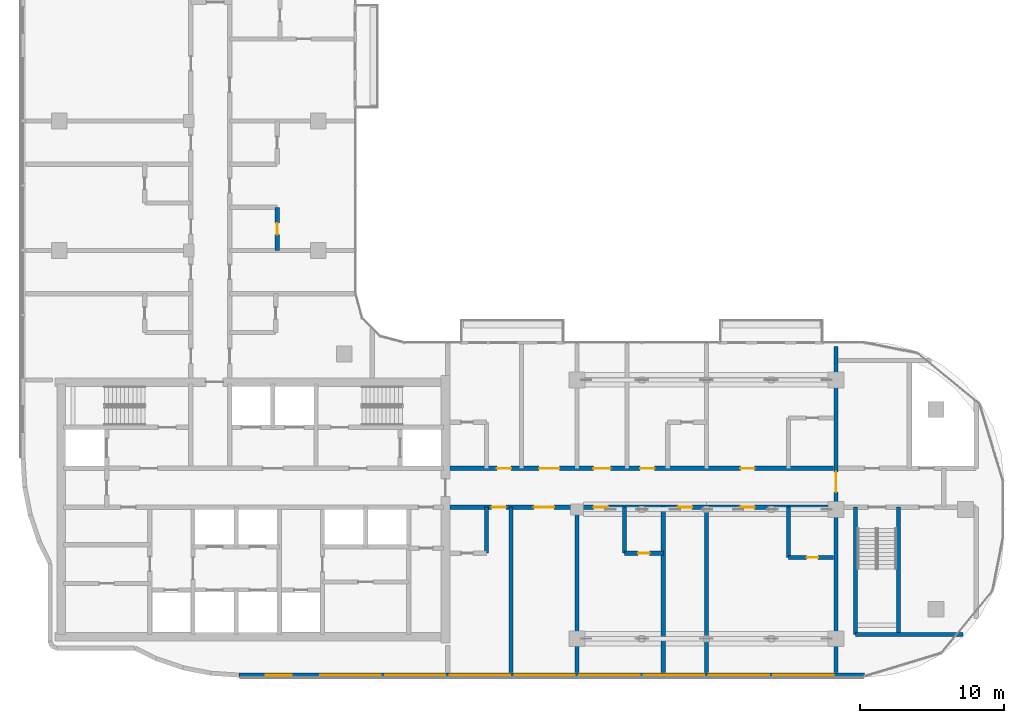
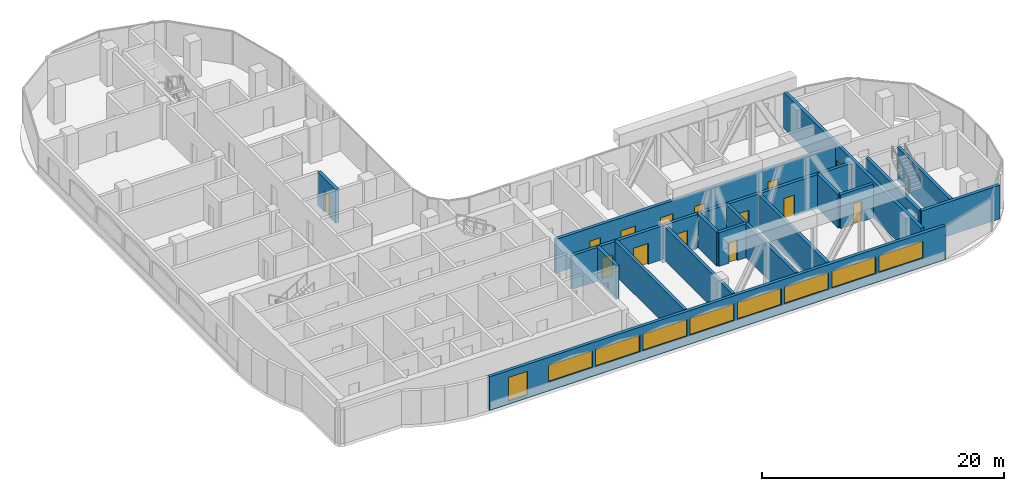
# One storey, part 11 of 25: 17 walls, 14 doors, 9 windows, 23 openings.
"""IFC4 building model written with IfcOpenShell, lengths in metres."""

from ifc_helpers import new_model, si_unit, direction, frame, frame_2d, origin, place, context, subcontext, project, spatial, rectangle, extrude, material, layer, layer_set, type_object, element, fill, save


model = new_model("IFC4")

# Units and contexts
model_context = context("Model", 3, precision=1e-05, world=origin(), true_north=direction((0.0, 1.0)))
body_context = subcontext(model_context, "Body", "Model", "MODEL_VIEW")
ifc_project = project(units=[si_unit("LENGTHUNIT", "METRE"), si_unit("AREAUNIT", "SQUARE_METRE"), si_unit("VOLUMEUNIT", "CUBIC_METRE"), si_unit("PLANEANGLEUNIT", "RADIAN"), si_unit("MASSUNIT", "GRAM", prefix="KILO")], contexts=[model_context])

# Site, building, storey
site_placement = place(None, origin())
site = spatial("IfcSite", under=ifc_project, at=site_placement, CompositionType="ELEMENT")
building_placement = place(site_placement, origin())
building = spatial("IfcBuilding", under=site, at=building_placement, Name="Ogive Portal Towers", CompositionType="ELEMENT")
storey_placement = place(building_placement, frame((0.0, 0.0, 182.89990234375)))
storey = spatial("IfcBuildingStorey", under=building, at=storey_placement, Name="L45", CompositionType="ELEMENT", Elevation=182.89990234375)

# Wall, openings, windows
ifc_material_1 = material(Name="Limestone cladding on lightweight block wall", Category="masonry")
ifc_layer_1 = layer(ifc_material_1, 0.300048828125)
ifc_layer_set_1 = layer_set([ifc_layer_1], Name="EXTERNAL WALL 300 STONE")
wall_type_1 = type_object("IfcWallType", Name="EXTERNAL WALL 300 STONE", PredefinedType="SOLIDWALL", material=ifc_layer_set_1)
wall_1_placement = place(storey_placement, frame((44.009765625, 18.969970703125, 0.0), z_axis=(0.0, 0.0, 1.0), x_axis=(1.0, 0.0, 0.0)))
wall_1 = element("IfcWall", 1, at=wall_1_placement, inside=storey, type_object=wall_type_1, Name="A:L45:f08:r0:wall", PredefinedType="SOLIDWALL", context=body_context, shape_type="SweptSolid", body=[
    extrude(rectangle(XDim=43.478271484375, YDim=0.300048828125, at=frame_2d((21.7392578125, 0.0))), origin(), (0.0, 0.0, 1.0), 3.400146484375),
])
opening_1_placement = place(wall_1_placement, frame((1.844970703125, 0.0, 0.300048828125)))
opening_1 = element("IfcOpeningElement", 2, at=opening_1_placement, cuts=wall_1, Name="Opening WN10", PredefinedType="OPENING", context=body_context, shape_type="SweptSolid", body=[
    extrude(rectangle(XDim=1.800048828125, YDim=2.39990234375, at=frame_2d((0.89990234375, 1.199951171875))), frame((0.0, 0.16015625, 0.0), z_axis=(0.0, -1.0, 0.0), x_axis=(1.0, 0.0, 0.0)), (0.0, 0.0, 1.0), 0.320068359375),
])
opening_2_placement = place(wall_1_placement, frame((5.64013671875, 0.0, 0.89990234375)))
opening_2 = element("IfcOpeningElement", 3, at=opening_2_placement, cuts=wall_1, Name="Opening WN13", PredefinedType="OPENING", context=body_context, shape_type="SweptSolid", body=[
    extrude(rectangle(XDim=4.199951171875, YDim=1.699951171875, at=frame_2d((2.10009765625, 0.85009765625))), frame((0.0, 0.16015625, 0.0), z_axis=(0.0, -1.0, 0.0), x_axis=(1.0, 0.0, 0.0)), (0.0, 0.0, 1.0), 0.320068359375),
])
opening_3_placement = place(wall_1_placement, frame((10.14013671875, 0.0, 0.89990234375)))
opening_3 = element("IfcOpeningElement", 4, at=opening_3_placement, cuts=wall_1, Name="Opening WN13", PredefinedType="OPENING", context=body_context, shape_type="SweptSolid", body=[
    extrude(rectangle(XDim=4.199951171875, YDim=1.699951171875, at=frame_2d((2.10009765625, 0.85009765625))), frame((0.0, 0.16015625, 0.0), z_axis=(0.0, -1.0, 0.0), x_axis=(1.0, 0.0, 0.0)), (0.0, 0.0, 1.0), 0.320068359375),
])
opening_4_placement = place(wall_1_placement, frame((14.64013671875, 0.0, 0.89990234375)))
opening_4 = element("IfcOpeningElement", 5, at=opening_4_placement, cuts=wall_1, Name="Opening WN13", PredefinedType="OPENING", context=body_context, shape_type="SweptSolid", body=[
    extrude(rectangle(XDim=4.199951171875, YDim=1.699951171875, at=frame_2d((2.10009765625, 0.85009765625))), frame((0.0, 0.16015625, 0.0), z_axis=(0.0, -1.0, 0.0), x_axis=(1.0, 0.0, 0.0)), (0.0, 0.0, 1.0), 0.320068359375),
])
opening_5_placement = place(wall_1_placement, frame((19.14013671875, 0.0, 0.89990234375)))
opening_5 = element("IfcOpeningElement", 6, at=opening_5_placement, cuts=wall_1, Name="Opening WN13", PredefinedType="OPENING", context=body_context, shape_type="SweptSolid", body=[
    extrude(rectangle(XDim=4.199951171875, YDim=1.699951171875, at=frame_2d((2.10009765625, 0.85009765625))), frame((0.0, 0.16015625, 0.0), z_axis=(0.0, -1.0, 0.0), x_axis=(1.0, 0.0, 0.0)), (0.0, 0.0, 1.0), 0.320068359375),
])
opening_6_placement = place(wall_1_placement, frame((23.64013671875, 0.0, 0.89990234375)))
opening_6 = element("IfcOpeningElement", 7, at=opening_6_placement, cuts=wall_1, Name="Opening WN13", PredefinedType="OPENING", context=body_context, shape_type="SweptSolid", body=[
    extrude(rectangle(XDim=4.199951171875, YDim=1.699951171875, at=frame_2d((2.10009765625, 0.85009765625))), frame((0.0, 0.16015625, 0.0), z_axis=(0.0, -1.0, 0.0), x_axis=(1.0, 0.0, 0.0)), (0.0, 0.0, 1.0), 0.320068359375),
])
opening_7_placement = place(wall_1_placement, frame((28.14013671875, 0.0, 0.89990234375)))
opening_7 = element("IfcOpeningElement", 8, at=opening_7_placement, cuts=wall_1, Name="Opening WN13", PredefinedType="OPENING", context=body_context, shape_type="SweptSolid", body=[
    extrude(rectangle(XDim=4.199951171875, YDim=1.699951171875, at=frame_2d((2.10009765625, 0.85009765625))), frame((0.0, 0.16015625, 0.0), z_axis=(0.0, -1.0, 0.0), x_axis=(1.0, 0.0, 0.0)), (0.0, 0.0, 1.0), 0.320068359375),
])
opening_8_placement = place(wall_1_placement, frame((32.64013671875, 0.0, 0.89990234375)))
opening_8 = element("IfcOpeningElement", 9, at=opening_8_placement, cuts=wall_1, Name="Opening WN13", PredefinedType="OPENING", context=body_context, shape_type="SweptSolid", body=[
    extrude(rectangle(XDim=4.199951171875, YDim=1.699951171875, at=frame_2d((2.10009765625, 0.85009765625))), frame((0.0, 0.16015625, 0.0), z_axis=(0.0, -1.0, 0.0), x_axis=(1.0, 0.0, 0.0)), (0.0, 0.0, 1.0), 0.320068359375),
])
opening_9_placement = place(wall_1_placement, frame((37.14013671875, 0.0, 0.89990234375)))
opening_9 = element("IfcOpeningElement", 10, at=opening_9_placement, cuts=wall_1, Name="Opening WN13", PredefinedType="OPENING", context=body_context, shape_type="SweptSolid", body=[
    extrude(rectangle(XDim=4.199951171875, YDim=1.699951171875, at=frame_2d((2.10009765625, 0.85009765625))), frame((0.0, 0.16015625, 0.0), z_axis=(0.0, -1.0, 0.0), x_axis=(1.0, 0.0, 0.0)), (0.0, 0.0, 1.0), 0.320068359375),
])
ifc_material_2 = material(Name="Glass, clear low-iron insulated glazing", Category="glass")
window_type_1 = type_object("IfcWindowType", Name="WINDOW RIBBON LANCET 4200x1700", PartitioningType="TRIPLE_PANEL_VERTICAL", PredefinedType="WINDOW", material=ifc_material_2)
window_1_placement = place(opening_2_placement, origin())
window_1 = element("IfcWindow", 11, at=window_1_placement, inside=storey, type_object=window_type_1, Name="A:L45:f08:r0:w1", OverallHeight=1.699951171875, OverallWidth=4.199951171875, PartitioningType="SINGLE_PANEL", PredefinedType="WINDOW", context=body_context, shape_type="SweptSolid", body=[
    extrude(rectangle(XDim=4.199951171875, YDim=1.699951171875, at=frame_2d((2.10009765625, 0.85009765625))), frame((0.0, 0.030029296875, 0.0), z_axis=(0.0, -1.0, 0.0), x_axis=(1.0, 0.0, 0.0)), (0.0, 0.0, 1.0), 0.06005859375),
])
fill(opening_2, window_1)
window_2_placement = place(opening_3_placement, origin())
window_2 = element("IfcWindow", 12, at=window_2_placement, inside=storey, type_object=window_type_1, Name="A:L45:f08:r0:w2", OverallHeight=1.699951171875, OverallWidth=4.199951171875, PartitioningType="SINGLE_PANEL", PredefinedType="WINDOW", context=body_context, shape_type="SweptSolid", body=[
    extrude(rectangle(XDim=4.199951171875, YDim=1.699951171875, at=frame_2d((2.10009765625, 0.85009765625))), frame((0.0, 0.030029296875, 0.0), z_axis=(0.0, -1.0, 0.0), x_axis=(1.0, 0.0, 0.0)), (0.0, 0.0, 1.0), 0.06005859375),
])
fill(opening_3, window_2)
window_3_placement = place(opening_4_placement, origin())
window_3 = element("IfcWindow", 13, at=window_3_placement, inside=storey, type_object=window_type_1, Name="A:L45:f08:r0:w3", OverallHeight=1.699951171875, OverallWidth=4.199951171875, PartitioningType="SINGLE_PANEL", PredefinedType="WINDOW", context=body_context, shape_type="SweptSolid", body=[
    extrude(rectangle(XDim=4.199951171875, YDim=1.699951171875, at=frame_2d((2.10009765625, 0.85009765625))), frame((0.0, 0.030029296875, 0.0), z_axis=(0.0, -1.0, 0.0), x_axis=(1.0, 0.0, 0.0)), (0.0, 0.0, 1.0), 0.06005859375),
])
fill(opening_4, window_3)
window_4_placement = place(opening_5_placement, origin())
window_4 = element("IfcWindow", 14, at=window_4_placement, inside=storey, type_object=window_type_1, Name="A:L45:f08:r0:w4", OverallHeight=1.699951171875, OverallWidth=4.199951171875, PartitioningType="SINGLE_PANEL", PredefinedType="WINDOW", context=body_context, shape_type="SweptSolid", body=[
    extrude(rectangle(XDim=4.199951171875, YDim=1.699951171875, at=frame_2d((2.10009765625, 0.85009765625))), frame((0.0, 0.030029296875, 0.0), z_axis=(0.0, -1.0, 0.0), x_axis=(1.0, 0.0, 0.0)), (0.0, 0.0, 1.0), 0.06005859375),
])
fill(opening_5, window_4)
window_5_placement = place(opening_6_placement, origin())
window_5 = element("IfcWindow", 15, at=window_5_placement, inside=storey, type_object=window_type_1, Name="A:L45:f08:r0:w5", OverallHeight=1.699951171875, OverallWidth=4.199951171875, PartitioningType="SINGLE_PANEL", PredefinedType="WINDOW", context=body_context, shape_type="SweptSolid", body=[
    extrude(rectangle(XDim=4.199951171875, YDim=1.699951171875, at=frame_2d((2.10009765625, 0.85009765625))), frame((0.0, 0.030029296875, 0.0), z_axis=(0.0, -1.0, 0.0), x_axis=(1.0, 0.0, 0.0)), (0.0, 0.0, 1.0), 0.06005859375),
])
fill(opening_6, window_5)
window_6_placement = place(opening_7_placement, origin())
window_6 = element("IfcWindow", 16, at=window_6_placement, inside=storey, type_object=window_type_1, Name="A:L45:f08:r0:w6", OverallHeight=1.699951171875, OverallWidth=4.199951171875, PartitioningType="SINGLE_PANEL", PredefinedType="WINDOW", context=body_context, shape_type="SweptSolid", body=[
    extrude(rectangle(XDim=4.199951171875, YDim=1.699951171875, at=frame_2d((2.10009765625, 0.85009765625))), frame((0.0, 0.030029296875, 0.0), z_axis=(0.0, -1.0, 0.0), x_axis=(1.0, 0.0, 0.0)), (0.0, 0.0, 1.0), 0.06005859375),
])
fill(opening_7, window_6)
window_7_placement = place(opening_8_placement, origin())
window_7 = element("IfcWindow", 17, at=window_7_placement, inside=storey, type_object=window_type_1, Name="A:L45:f08:r0:w7", OverallHeight=1.699951171875, OverallWidth=4.199951171875, PartitioningType="SINGLE_PANEL", PredefinedType="WINDOW", context=body_context, shape_type="SweptSolid", body=[
    extrude(rectangle(XDim=4.199951171875, YDim=1.699951171875, at=frame_2d((2.10009765625, 0.85009765625))), frame((0.0, 0.030029296875, 0.0), z_axis=(0.0, -1.0, 0.0), x_axis=(1.0, 0.0, 0.0)), (0.0, 0.0, 1.0), 0.06005859375),
])
fill(opening_8, window_7)
window_8_placement = place(opening_9_placement, origin())
window_8 = element("IfcWindow", 18, at=window_8_placement, inside=storey, type_object=window_type_1, Name="A:L45:f08:r0:w8", OverallHeight=1.699951171875, OverallWidth=4.199951171875, PartitioningType="SINGLE_PANEL", PredefinedType="WINDOW", context=body_context, shape_type="SweptSolid", body=[
    extrude(rectangle(XDim=4.199951171875, YDim=1.699951171875, at=frame_2d((2.10009765625, 0.85009765625))), frame((0.0, 0.030029296875, 0.0), z_axis=(0.0, -1.0, 0.0), x_axis=(1.0, 0.0, 0.0)), (0.0, 0.0, 1.0), 0.06005859375),
])
fill(opening_9, window_8)
window_type_2 = type_object("IfcWindowType", Name="WINDOW SUITE CORNER 1800x2400", PartitioningType="DOUBLE_PANEL_VERTICAL", PredefinedType="WINDOW", material=ifc_material_2)
window_9_placement = place(opening_1_placement, origin())
window_9 = element("IfcWindow", 19, at=window_9_placement, inside=storey, type_object=window_type_2, Name="A:L45:f08:r0:w0", OverallHeight=2.39990234375, OverallWidth=1.800048828125, PartitioningType="SINGLE_PANEL", PredefinedType="WINDOW", context=body_context, shape_type="SweptSolid", body=[
    extrude(rectangle(XDim=1.800048828125, YDim=2.39990234375, at=frame_2d((0.89990234375, 1.199951171875))), frame((0.0, 0.030029296875, 0.0), z_axis=(0.0, -1.0, 0.0), x_axis=(1.0, 0.0, 0.0)), (0.0, 0.0, 1.0), 0.06005859375),
])
fill(opening_1, window_9)

# Wall, opening, door
ifc_material_3 = material(Name="Concrete C60/75", Category="concrete")
ifc_layer_2 = layer(ifc_material_3, 0.300048828125)
ifc_layer_set_2 = layer_set([ifc_layer_2], Name="REVEAL WALL 300 C60")
wall_type_2 = type_object("IfcWallType", Name="REVEAL WALL 300 C60", PredefinedType="SHEAR", material=ifc_layer_set_2)
wall_2_placement = place(storey_placement, frame((85.5, 19.169921875, 0.0), z_axis=(0.0, 0.0, 1.0), x_axis=(0.0, 1.0, 0.0)))
wall_2 = element("IfcWall", 20, at=wall_2_placement, inside=storey, type_object=wall_type_2, Name="Portal reveal wall L45", PredefinedType="SHEAR", context=body_context, shape_type="SweptSolid", body=[
    extrude(rectangle(XDim=22.66015625, YDim=0.300048828125, at=frame_2d((11.330078125, 0.0))), origin(), (0.0, 0.0, 1.0), 3.7001953125),
])
opening_10_placement = place(wall_2_placement, frame((12.530029296875, 0.0, 0.0)))
opening_10 = element("IfcOpeningElement", 21, at=opening_10_placement, cuts=wall_2, Name="Opening D20-066", PredefinedType="OPENING", context=body_context, shape_type="SweptSolid", body=[
    extrude(rectangle(XDim=1.39990234375, YDim=2.10009765625, at=frame_2d((0.699951171875, 1.050048828125))), frame((0.0, 0.16015625, 0.0), z_axis=(0.0, -1.0, 0.0), x_axis=(1.0, 0.0, 0.0)), (0.0, 0.0, 1.0), 0.320068359375),
])
ifc_material_4 = material(Name="Steel fire door", Category="steel")
door_type_1 = type_object("IfcDoorType", Name="DT-STAIR-1400x2100-FD90S", OperationType="SINGLE_SWING_LEFT", PredefinedType="DOOR", material=ifc_material_4)
door_1_placement = place(opening_10_placement, origin())
door_1 = element("IfcDoor", 22, at=door_1_placement, inside=storey, type_object=door_type_1, Name="Door D20-066", OperationType="SINGLE_SWING_RIGHT", OverallHeight=2.10009765625, OverallWidth=1.39990234375, PredefinedType="DOOR", context=body_context, shape_type="SweptSolid", body=[
    extrude(rectangle(XDim=1.39990234375, YDim=2.10009765625, at=frame_2d((0.699951171875, 1.050048828125))), frame((0.0, 0.02490234375, 0.0), z_axis=(0.0, -1.0, 0.0), x_axis=(1.0, 0.0, 0.0)), (0.0, 0.0, 1.0), 0.050048828125),
])
fill(opening_10, door_1)

# Walls
ifc_material_5 = material(Name="Concrete C50/60", Category="concrete")
ifc_layer_3 = layer(ifc_material_5, 0.300048828125)
ifc_layer_set_3 = layer_set([ifc_layer_3], Name="STAIR WALL 300 C50")
wall_type_3 = type_object("IfcWallType", Name="STAIR WALL 300 C50", PredefinedType="SHEAR", material=ifc_layer_set_3)
wall_3_placement = place(storey_placement, frame((86.85009765625, 21.800048828125, 0.0), z_axis=(0.0, 0.0, 1.0), x_axis=(1.0, 0.0, 0.0)))
element("IfcWall", 23, at=wall_3_placement, inside=storey, type_object=wall_type_3, Name="Stair wall ST-A4 L45", PredefinedType="SHEAR", context=body_context, shape_type="SweptSolid", body=[
    extrude(rectangle(XDim=7.473876953125, YDim=0.300048828125, at=frame_2d((3.73681640625, 0.0))), origin(), (0.0, 0.0, 1.0), 3.400146484375),
])
for number, where, z_axis, x_axis, name in (
    (24, (86.85009765625, 21.800048828125, 0.0), (0.0, 0.0, 1.0), (0.0, 1.0, 0.0), "Stair wall ST-A4 L45"),
    (25, (89.85009765625, 21.800048828125, 0.0), (0.0, 0.0, 1.0), (0.0, 1.0, 0.0), "Stair wall ST-A4 L45"),
):
    element("IfcWall", number, at=place(storey_placement, frame(where, z_axis=z_axis, x_axis=x_axis)), inside=storey, type_object=wall_type_3, Name=name, PredefinedType="SHEAR", context=body_context, shape_type="SweptSolid", body=[
        extrude(rectangle(XDim=8.849853515625, YDim=0.300048828125, at=frame_2d((4.4248046875, 0.0))), origin(), (0.0, 0.0, 1.0), 3.400146484375),
    ])

# Wall, openings, doors
ifc_material_6 = material(Name="Gypsum board partition on steel studs", Category="steel")
ifc_layer_4 = layer(ifc_material_6, 0.300048828125)
ifc_layer_set_4 = layer_set([ifc_layer_4], Name="WT-PART-300-EI 120")
wall_type_4 = type_object("IfcWallType", Name="WT-PART-300-EI 120", PredefinedType="PARTITIONING", material=ifc_layer_set_4)
wall_4_placement = place(storey_placement, frame((58.64990234375, 30.64990234375, 0.0), z_axis=(0.0, 0.0, 1.0), x_axis=(1.0, 0.0, 0.0)))
wall_4 = element("IfcWall", 26, at=wall_4_placement, inside=storey, type_object=wall_type_4, Name="Wall L45:w005", PredefinedType="PARTITIONING", context=body_context, shape_type="SweptSolid", body=[
    extrude(rectangle(XDim=26.68017578125, YDim=0.300048828125, at=frame_2d((13.340087890625, 0.0))), origin(), (0.0, 0.0, 1.0), 3.400146484375),
])
opening_11_placement = place(wall_4_placement, frame((2.89990234375, 0.0, 0.0)))
opening_11 = element("IfcOpeningElement", 27, at=opening_11_placement, cuts=wall_4, Name="Opening D20-031", PredefinedType="OPENING", context=body_context, shape_type="SweptSolid", body=[
    extrude(rectangle(XDim=1.0, YDim=2.10009765625, at=frame_2d((0.5, 1.050048828125))), frame((0.0, 0.16015625, 0.0), z_axis=(0.0, -1.0, 0.0), x_axis=(1.0, 0.0, 0.0)), (0.0, 0.0, 1.0), 0.320068359375),
])
opening_12_placement = place(wall_4_placement, frame((5.85009765625, 0.0, 0.0)))
opening_12 = element("IfcOpeningElement", 28, at=opening_12_placement, cuts=wall_4, Name="Opening D20-032", PredefinedType="OPENING", context=body_context, shape_type="SweptSolid", body=[
    extrude(rectangle(XDim=1.39990234375, YDim=2.10009765625, at=frame_2d((0.699951171875, 1.050048828125))), frame((0.0, 0.16015625, 0.0), z_axis=(0.0, -1.0, 0.0), x_axis=(1.0, 0.0, 0.0)), (0.0, 0.0, 1.0), 0.320068359375),
])
opening_13_placement = place(wall_4_placement, frame((10.0, 0.0, 0.0)))
opening_13 = element("IfcOpeningElement", 29, at=opening_13_placement, cuts=wall_4, Name="Opening D20-037", PredefinedType="OPENING", context=body_context, shape_type="SweptSolid", body=[
    extrude(rectangle(XDim=1.0, YDim=2.10009765625, at=frame_2d((0.5, 1.050048828125))), frame((0.0, 0.16015625, 0.0), z_axis=(0.0, -1.0, 0.0), x_axis=(1.0, 0.0, 0.0)), (0.0, 0.0, 1.0), 0.320068359375),
])
opening_14_placement = place(wall_4_placement, frame((15.85009765625, 0.0, 0.0)))
opening_14 = element("IfcOpeningElement", 30, at=opening_14_placement, cuts=wall_4, Name="Opening D20-038", PredefinedType="OPENING", context=body_context, shape_type="SweptSolid", body=[
    extrude(rectangle(XDim=1.0, YDim=2.10009765625, at=frame_2d((0.5, 1.050048828125))), frame((0.0, 0.16015625, 0.0), z_axis=(0.0, -1.0, 0.0), x_axis=(1.0, 0.0, 0.0)), (0.0, 0.0, 1.0), 0.320068359375),
])
opening_15_placement = place(wall_4_placement, frame((20.199951171875, 0.0, 0.0)))
opening_15 = element("IfcOpeningElement", 31, at=opening_15_placement, cuts=wall_4, Name="Opening D20-042", PredefinedType="OPENING", context=body_context, shape_type="SweptSolid", body=[
    extrude(rectangle(XDim=1.0, YDim=2.10009765625, at=frame_2d((0.5, 1.050048828125))), frame((0.0, 0.16015625, 0.0), z_axis=(0.0, -1.0, 0.0), x_axis=(1.0, 0.0, 0.0)), (0.0, 0.0, 1.0), 0.320068359375),
])
door_type_2 = type_object("IfcDoorType", Name="DT-ENTRY-1000x2100-FD90S", OperationType="SINGLE_SWING_LEFT", PredefinedType="DOOR", material=ifc_material_4)
door_2_placement = place(opening_11_placement, origin())
door_2 = element("IfcDoor", 32, at=door_2_placement, inside=storey, type_object=door_type_2, Name="Door D20-031", OperationType="SINGLE_SWING_LEFT", OverallHeight=2.10009765625, OverallWidth=1.0, PredefinedType="DOOR", context=body_context, shape_type="SweptSolid", body=[
    extrude(rectangle(XDim=1.0, YDim=2.10009765625, at=frame_2d((0.5, 1.050048828125))), frame((0.0, 0.02490234375, 0.0), z_axis=(0.0, -1.0, 0.0), x_axis=(1.0, 0.0, 0.0)), (0.0, 0.0, 1.0), 0.050048828125),
])
fill(opening_11, door_2)
door_3_placement = place(opening_13_placement, origin())
door_3 = element("IfcDoor", 33, at=door_3_placement, inside=storey, type_object=door_type_2, Name="Door D20-037", OperationType="SINGLE_SWING_LEFT", OverallHeight=2.10009765625, OverallWidth=1.0, PredefinedType="DOOR", context=body_context, shape_type="SweptSolid", body=[
    extrude(rectangle(XDim=1.0, YDim=2.10009765625, at=frame_2d((0.5, 1.050048828125))), frame((0.0, 0.02490234375, 0.0), z_axis=(0.0, -1.0, 0.0), x_axis=(1.0, 0.0, 0.0)), (0.0, 0.0, 1.0), 0.050048828125),
])
fill(opening_13, door_3)
door_4_placement = place(opening_14_placement, origin())
door_4 = element("IfcDoor", 34, at=door_4_placement, inside=storey, type_object=door_type_2, Name="Door D20-038", OperationType="SINGLE_SWING_RIGHT", OverallHeight=2.10009765625, OverallWidth=1.0, PredefinedType="DOOR", context=body_context, shape_type="SweptSolid", body=[
    extrude(rectangle(XDim=1.0, YDim=2.10009765625, at=frame_2d((0.5, 1.050048828125))), frame((0.0, 0.02490234375, 0.0), z_axis=(0.0, -1.0, 0.0), x_axis=(1.0, 0.0, 0.0)), (0.0, 0.0, 1.0), 0.050048828125),
])
fill(opening_14, door_4)
door_5_placement = place(opening_15_placement, origin())
door_5 = element("IfcDoor", 35, at=door_5_placement, inside=storey, type_object=door_type_2, Name="Door D20-042", OperationType="SINGLE_SWING_RIGHT", OverallHeight=2.10009765625, OverallWidth=1.0, PredefinedType="DOOR", context=body_context, shape_type="SweptSolid", body=[
    extrude(rectangle(XDim=1.0, YDim=2.10009765625, at=frame_2d((0.5, 1.050048828125))), frame((0.0, 0.02490234375, 0.0), z_axis=(0.0, -1.0, 0.0), x_axis=(1.0, 0.0, 0.0)), (0.0, 0.0, 1.0), 0.050048828125),
])
fill(opening_15, door_5)
door_type_3 = type_object("IfcDoorType", Name="DT-ENTRY-1400x2100-FD90S", OperationType="SINGLE_SWING_LEFT", PredefinedType="DOOR", material=ifc_material_4)
door_6_placement = place(opening_12_placement, origin())
door_6 = element("IfcDoor", 36, at=door_6_placement, inside=storey, type_object=door_type_3, Name="Door D20-032", OperationType="SINGLE_SWING_RIGHT", OverallHeight=2.10009765625, OverallWidth=1.39990234375, PredefinedType="DOOR", context=body_context, shape_type="SweptSolid", body=[
    extrude(rectangle(XDim=1.39990234375, YDim=2.10009765625, at=frame_2d((0.699951171875, 1.050048828125))), frame((0.0, 0.02490234375, 0.0), z_axis=(0.0, -1.0, 0.0), x_axis=(1.0, 0.0, 0.0)), (0.0, 0.0, 1.0), 0.050048828125),
])
fill(opening_12, door_6)

wall_5_placement = place(storey_placement, frame((58.64990234375, 33.35009765625, 0.0), z_axis=(0.0, 0.0, 1.0), x_axis=(1.0, 0.0, 0.0)))
wall_5 = element("IfcWall", 37, at=wall_5_placement, inside=storey, type_object=wall_type_4, Name="Wall L45:w007", PredefinedType="PARTITIONING", context=body_context, shape_type="SweptSolid", body=[
    extrude(rectangle(XDim=26.68017578125, YDim=0.300048828125, at=frame_2d((13.340087890625, 0.0))), origin(), (0.0, 0.0, 1.0), 3.400146484375),
])
opening_16_placement = place(wall_5_placement, frame((3.264892578125, 0.0, 0.0)))
opening_16 = element("IfcOpeningElement", 38, at=opening_16_placement, cuts=wall_5, Name="Opening D20-028", PredefinedType="OPENING", context=body_context, shape_type="SweptSolid", body=[
    extrude(rectangle(XDim=1.0, YDim=2.10009765625, at=frame_2d((0.5, 1.050048828125))), frame((0.0, 0.16015625, 0.0), z_axis=(0.0, -1.0, 0.0), x_axis=(1.0, 0.0, 0.0)), (0.0, 0.0, 1.0), 0.320068359375),
])
opening_17_placement = place(wall_5_placement, frame((6.215087890625, 0.0, 0.0)))
opening_17 = element("IfcOpeningElement", 39, at=opening_17_placement, cuts=wall_5, Name="Opening D20-029", PredefinedType="OPENING", context=body_context, shape_type="SweptSolid", body=[
    extrude(rectangle(XDim=1.39990234375, YDim=2.10009765625, at=frame_2d((0.699951171875, 1.050048828125))), frame((0.0, 0.16015625, 0.0), z_axis=(0.0, -1.0, 0.0), x_axis=(1.0, 0.0, 0.0)), (0.0, 0.0, 1.0), 0.320068359375),
])
opening_18_placement = place(wall_5_placement, frame((9.985107421875, 0.0, 0.0)))
opening_18 = element("IfcOpeningElement", 40, at=opening_18_placement, cuts=wall_5, Name="Opening D20-033", PredefinedType="OPENING", context=body_context, shape_type="SweptSolid", body=[
    extrude(rectangle(XDim=1.199951171875, YDim=2.10009765625, at=frame_2d((0.60009765625, 1.050048828125))), frame((0.0, 0.16015625, 0.0), z_axis=(0.0, -1.0, 0.0), x_axis=(1.0, 0.0, 0.0)), (0.0, 0.0, 1.0), 0.320068359375),
])
opening_19_placement = place(wall_5_placement, frame((13.235107421875, 0.0, 0.0)))
opening_19 = element("IfcOpeningElement", 41, at=opening_19_placement, cuts=wall_5, Name="Opening D20-035", PredefinedType="OPENING", context=body_context, shape_type="SweptSolid", body=[
    extrude(rectangle(XDim=1.0, YDim=2.10009765625, at=frame_2d((0.5, 1.050048828125))), frame((0.0, 0.16015625, 0.0), z_axis=(0.0, -1.0, 0.0), x_axis=(1.0, 0.0, 0.0)), (0.0, 0.0, 1.0), 0.320068359375),
])
opening_20_placement = place(wall_5_placement, frame((20.199951171875, 0.0, 0.0)))
opening_20 = element("IfcOpeningElement", 42, at=opening_20_placement, cuts=wall_5, Name="Opening D20-040", PredefinedType="OPENING", context=body_context, shape_type="SweptSolid", body=[
    extrude(rectangle(XDim=1.0, YDim=2.10009765625, at=frame_2d((0.5, 1.050048828125))), frame((0.0, 0.16015625, 0.0), z_axis=(0.0, -1.0, 0.0), x_axis=(1.0, 0.0, 0.0)), (0.0, 0.0, 1.0), 0.320068359375),
])
door_7_placement = place(opening_16_placement, origin())
door_7 = element("IfcDoor", 43, at=door_7_placement, inside=storey, type_object=door_type_2, Name="Door D20-028", OperationType="SINGLE_SWING_LEFT", OverallHeight=2.10009765625, OverallWidth=1.0, PredefinedType="DOOR", context=body_context, shape_type="SweptSolid", body=[
    extrude(rectangle(XDim=1.0, YDim=2.10009765625, at=frame_2d((0.5, 1.050048828125))), frame((0.0, 0.02490234375, 0.0), z_axis=(0.0, -1.0, 0.0), x_axis=(1.0, 0.0, 0.0)), (0.0, 0.0, 1.0), 0.050048828125),
])
fill(opening_16, door_7)
door_8_placement = place(opening_19_placement, origin())
door_8 = element("IfcDoor", 44, at=door_8_placement, inside=storey, type_object=door_type_2, Name="Door D20-035", OperationType="SINGLE_SWING_LEFT", OverallHeight=2.10009765625, OverallWidth=1.0, PredefinedType="DOOR", context=body_context, shape_type="SweptSolid", body=[
    extrude(rectangle(XDim=1.0, YDim=2.10009765625, at=frame_2d((0.5, 1.050048828125))), frame((0.0, 0.02490234375, 0.0), z_axis=(0.0, -1.0, 0.0), x_axis=(1.0, 0.0, 0.0)), (0.0, 0.0, 1.0), 0.050048828125),
])
fill(opening_19, door_8)
door_9_placement = place(opening_20_placement, origin())
door_9 = element("IfcDoor", 45, at=door_9_placement, inside=storey, type_object=door_type_2, Name="Door D20-040", OperationType="SINGLE_SWING_LEFT", OverallHeight=2.10009765625, OverallWidth=1.0, PredefinedType="DOOR", context=body_context, shape_type="SweptSolid", body=[
    extrude(rectangle(XDim=1.0, YDim=2.10009765625, at=frame_2d((0.5, 1.050048828125))), frame((0.0, 0.02490234375, 0.0), z_axis=(0.0, -1.0, 0.0), x_axis=(1.0, 0.0, 0.0)), (0.0, 0.0, 1.0), 0.050048828125),
])
fill(opening_20, door_9)
door_type_4 = type_object("IfcDoorType", Name="DT-ENTRY-1200x2100-FD90S", OperationType="SINGLE_SWING_LEFT", PredefinedType="DOOR", material=ifc_material_4)
door_10_placement = place(opening_18_placement, origin())
door_10 = element("IfcDoor", 46, at=door_10_placement, inside=storey, type_object=door_type_4, Name="Door D20-033", OperationType="SINGLE_SWING_LEFT", OverallHeight=2.10009765625, OverallWidth=1.199951171875, PredefinedType="DOOR", context=body_context, shape_type="SweptSolid", body=[
    extrude(rectangle(XDim=1.199951171875, YDim=2.10009765625, at=frame_2d((0.60009765625, 1.050048828125))), frame((0.0, 0.02490234375, 0.0), z_axis=(0.0, -1.0, 0.0), x_axis=(1.0, 0.0, 0.0)), (0.0, 0.0, 1.0), 0.050048828125),
])
fill(opening_18, door_10)
door_11_placement = place(opening_17_placement, origin())
door_11 = element("IfcDoor", 47, at=door_11_placement, inside=storey, type_object=door_type_3, Name="Door D20-029", OperationType="SINGLE_SWING_RIGHT", OverallHeight=2.10009765625, OverallWidth=1.39990234375, PredefinedType="DOOR", context=body_context, shape_type="SweptSolid", body=[
    extrude(rectangle(XDim=1.39990234375, YDim=2.10009765625, at=frame_2d((0.699951171875, 1.050048828125))), frame((0.0, 0.02490234375, 0.0), z_axis=(0.0, -1.0, 0.0), x_axis=(1.0, 0.0, 0.0)), (0.0, 0.0, 1.0), 0.050048828125),
])
fill(opening_17, door_11)

# Wall, opening, door
ifc_layer_5 = layer(ifc_material_6, 0.300048828125)
ifc_layer_set_5 = layer_set([ifc_layer_5], Name="WT-PART-300-EI 60")
wall_type_5 = type_object("IfcWallType", Name="WT-PART-300-EI 60", PredefinedType="PARTITIONING", material=ifc_layer_set_5)
wall_6_placement = place(storey_placement, frame((82.199951171875, 27.14990234375, 0.0), z_axis=(0.0, 0.0, 1.0), x_axis=(1.0, 0.0, 0.0)))
wall_6 = element("IfcWall", 48, at=wall_6_placement, inside=storey, type_object=wall_type_5, Name="Wall L45:w002", PredefinedType="PARTITIONING", context=body_context, shape_type="SweptSolid", body=[
    extrude(rectangle(XDim=3.130126953125, YDim=0.300048828125, at=frame_2d((1.56494140625, 0.0))), origin(), (0.0, 0.0, 1.0), 3.400146484375),
])
opening_21_placement = place(wall_6_placement, frame((1.25, 0.0, 0.0)))
opening_21 = element("IfcOpeningElement", 49, at=opening_21_placement, cuts=wall_6, Name="Opening D20-041", PredefinedType="OPENING", context=body_context, shape_type="SweptSolid", body=[
    extrude(rectangle(XDim=0.800048828125, YDim=2.10009765625, at=frame_2d((0.39990234375, 1.050048828125))), frame((0.0, 0.16015625, 0.0), z_axis=(0.0, -1.0, 0.0), x_axis=(1.0, 0.0, 0.0)), (0.0, 0.0, 1.0), 0.320068359375),
])
door_type_5 = type_object("IfcDoorType", Name="DT-BATH-800x2100-FD60S", OperationType="SINGLE_SWING_LEFT", PredefinedType="DOOR", material=ifc_material_4)
door_12_placement = place(opening_21_placement, origin())
door_12 = element("IfcDoor", 50, at=door_12_placement, inside=storey, type_object=door_type_5, Name="Door D20-041", OperationType="SINGLE_SWING_LEFT", OverallHeight=2.10009765625, OverallWidth=0.800048828125, PredefinedType="DOOR", context=body_context, shape_type="SweptSolid", body=[
    extrude(rectangle(XDim=0.800048828125, YDim=2.10009765625, at=frame_2d((0.39990234375, 1.050048828125))), frame((0.0, 0.02490234375, 0.0), z_axis=(0.0, -1.0, 0.0), x_axis=(1.0, 0.0, 0.0)), (0.0, 0.0, 1.0), 0.050048828125),
])
fill(opening_21, door_12)

wall_7_placement = place(storey_placement, frame((70.800048828125, 27.449951171875, 0.0), z_axis=(0.0, 0.0, 1.0), x_axis=(1.0, 0.0, 0.0)))
wall_7 = element("IfcWall", 51, at=wall_7_placement, inside=storey, type_object=wall_type_5, Name="Wall L45:w004", PredefinedType="PARTITIONING", context=body_context, shape_type="SweptSolid", body=[
    extrude(rectangle(XDim=2.699951171875, YDim=0.300048828125, at=frame_2d((1.35009765625, 0.0))), origin(), (0.0, 0.0, 1.0), 3.400146484375),
])
opening_22_placement = place(wall_7_placement, frame((0.949951171875, 0.0, 0.0)))
opening_22 = element("IfcOpeningElement", 52, at=opening_22_placement, cuts=wall_7, Name="Opening D20-036", PredefinedType="OPENING", context=body_context, shape_type="SweptSolid", body=[
    extrude(rectangle(XDim=0.800048828125, YDim=2.10009765625, at=frame_2d((0.39990234375, 1.050048828125))), frame((0.0, 0.16015625, 0.0), z_axis=(0.0, -1.0, 0.0), x_axis=(1.0, 0.0, 0.0)), (0.0, 0.0, 1.0), 0.320068359375),
])
door_13_placement = place(opening_22_placement, origin())
door_13 = element("IfcDoor", 53, at=door_13_placement, inside=storey, type_object=door_type_5, Name="Door D20-036", OperationType="SINGLE_SWING_LEFT", OverallHeight=2.10009765625, OverallWidth=0.800048828125, PredefinedType="DOOR", context=body_context, shape_type="SweptSolid", body=[
    extrude(rectangle(XDim=0.800048828125, YDim=2.10009765625, at=frame_2d((0.39990234375, 1.050048828125))), frame((0.0, 0.02490234375, 0.0), z_axis=(0.0, -1.0, 0.0), x_axis=(1.0, 0.0, 0.0)), (0.0, 0.0, 1.0), 0.050048828125),
])
fill(opening_22, door_13)

wall_8_placement = place(storey_placement, frame((46.64990234375, 48.5, 0.0), z_axis=(0.0, 0.0, 1.0), x_axis=(0.0, 1.0, 0.0)))
wall_8 = element("IfcWall", 54, at=wall_8_placement, inside=storey, type_object=wall_type_5, Name="Wall L45:w043", PredefinedType="PARTITIONING", context=body_context, shape_type="SweptSolid", body=[
    extrude(rectangle(XDim=3.0, YDim=0.300048828125, at=frame_2d((1.5, 0.0))), origin(), (0.0, 0.0, 1.0), 3.400146484375),
])
opening_23_placement = place(wall_8_placement, frame((1.10009765625, 0.0, 0.0)))
opening_23 = element("IfcOpeningElement", 55, at=opening_23_placement, cuts=wall_8, Name="Opening D20-049", PredefinedType="OPENING", context=body_context, shape_type="SweptSolid", body=[
    extrude(rectangle(XDim=0.800048828125, YDim=2.10009765625, at=frame_2d((0.39990234375, 1.050048828125))), frame((0.0, 0.16015625, 0.0), z_axis=(0.0, -1.0, 0.0), x_axis=(1.0, 0.0, 0.0)), (0.0, 0.0, 1.0), 0.320068359375),
])
door_14_placement = place(opening_23_placement, origin())
door_14 = element("IfcDoor", 56, at=door_14_placement, inside=storey, type_object=door_type_5, Name="Door D20-049", OperationType="SINGLE_SWING_RIGHT", OverallHeight=2.10009765625, OverallWidth=0.800048828125, PredefinedType="DOOR", context=body_context, shape_type="SweptSolid", body=[
    extrude(rectangle(XDim=0.800048828125, YDim=2.10009765625, at=frame_2d((0.39990234375, 1.050048828125))), frame((0.0, 0.02490234375, 0.0), z_axis=(0.0, -1.0, 0.0), x_axis=(1.0, 0.0, 0.0)), (0.0, 0.0, 1.0), 0.050048828125),
])
fill(opening_23, door_14)

# Walls
wall_9_placement = place(storey_placement, frame((61.199951171875, 27.449951171875, 0.0), z_axis=(0.0, 0.0, 1.0), x_axis=(0.0, 1.0, 0.0)))
element("IfcWall", 57, at=wall_9_placement, inside=storey, type_object=wall_type_5, Name="Wall L45:w049", PredefinedType="PARTITIONING", context=body_context, shape_type="SweptSolid", body=[
    extrude(rectangle(XDim=3.199951171875, YDim=0.300048828125, at=frame_2d((1.60009765625, 0.0))), origin(), (0.0, 0.0, 1.0), 3.400146484375),
])
for number, where, z_axis, x_axis, name in (
    (58, (62.89990234375, 19.169921875, 0.0), (0.0, 0.0, 1.0), (0.0, 1.0, 0.0), "Wall L45:w051"),
    (59, (67.5, 19.169921875, 0.0), (0.0, 0.0, 1.0), (0.0, 1.0, 0.0), "Wall L45:w053"),
):
    element("IfcWall", number, at=place(storey_placement, frame(where, z_axis=z_axis, x_axis=x_axis)), inside=storey, type_object=wall_type_5, Name=name, PredefinedType="PARTITIONING", context=body_context, shape_type="SweptSolid", body=[
        extrude(rectangle(XDim=11.47998046875, YDim=0.300048828125, at=frame_2d((5.739990234375, 0.0))), origin(), (0.0, 0.0, 1.0), 3.400146484375),
    ])
wall_10_placement = place(storey_placement, frame((70.800048828125, 27.449951171875, 0.0), z_axis=(0.0, 0.0, 1.0), x_axis=(0.0, 1.0, 0.0)))
element("IfcWall", 60, at=wall_10_placement, inside=storey, type_object=wall_type_5, Name="Wall L45:w055", PredefinedType="PARTITIONING", context=body_context, shape_type="SweptSolid", body=[
    extrude(rectangle(XDim=3.199951171875, YDim=0.300048828125, at=frame_2d((1.60009765625, 0.0))), origin(), (0.0, 0.0, 1.0), 3.400146484375),
])
for number, where, z_axis, x_axis, name in (
    (61, (73.5, 19.169921875, 0.0), (0.0, 0.0, 1.0), (0.0, 1.0, 0.0), "Wall L45:w057"),
    (62, (76.5, 19.169921875, 0.0), (0.0, 0.0, 1.0), (0.0, 1.0, 0.0), "Wall L45:w059"),
):
    element("IfcWall", number, at=place(storey_placement, frame(where, z_axis=z_axis, x_axis=x_axis)), inside=storey, type_object=wall_type_5, Name=name, PredefinedType="PARTITIONING", context=body_context, shape_type="SweptSolid", body=[
        extrude(rectangle(XDim=11.47998046875, YDim=0.300048828125, at=frame_2d((5.739990234375, 0.0))), origin(), (0.0, 0.0, 1.0), 3.400146484375),
    ])
wall_11_placement = place(storey_placement, frame((82.199951171875, 27.14990234375, 0.0), z_axis=(0.0, 0.0, 1.0), x_axis=(0.0, 1.0, 0.0)))
element("IfcWall", 63, at=wall_11_placement, inside=storey, type_object=wall_type_5, Name="Wall L45:w061", PredefinedType="PARTITIONING", context=body_context, shape_type="SweptSolid", body=[
    extrude(rectangle(XDim=3.5, YDim=0.300048828125, at=frame_2d((1.75, 0.0))), origin(), (0.0, 0.0, 1.0), 3.400146484375),
])

save(model, "model.ifc")
